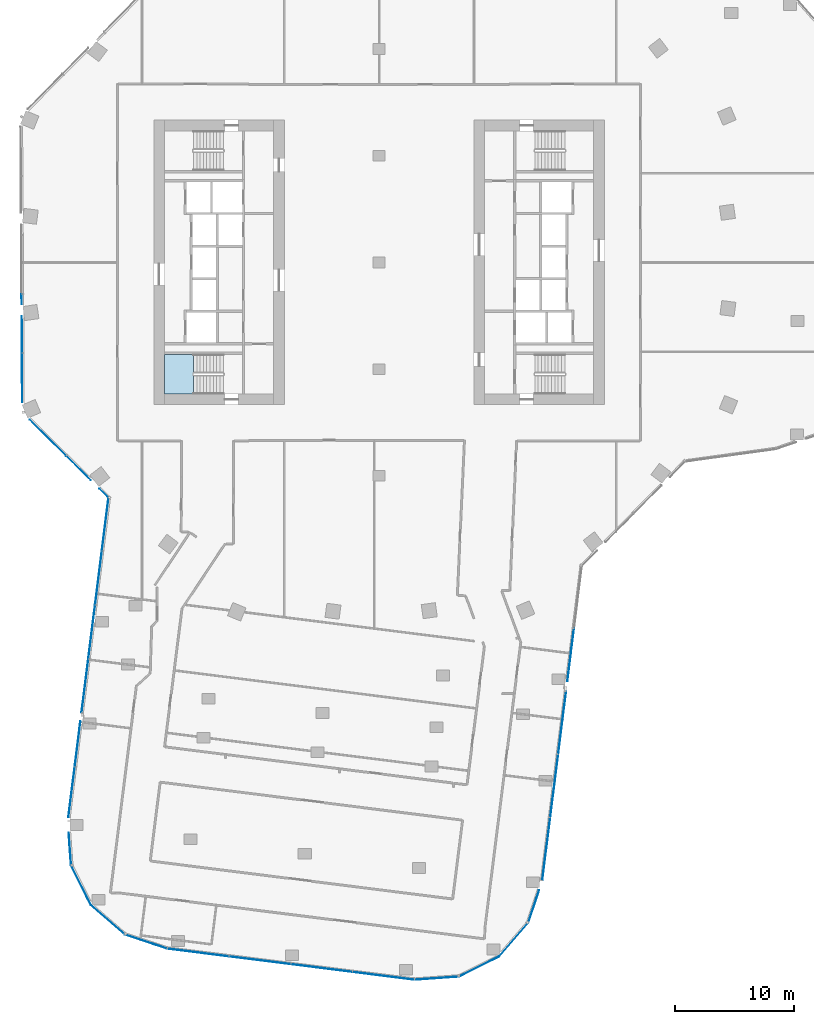
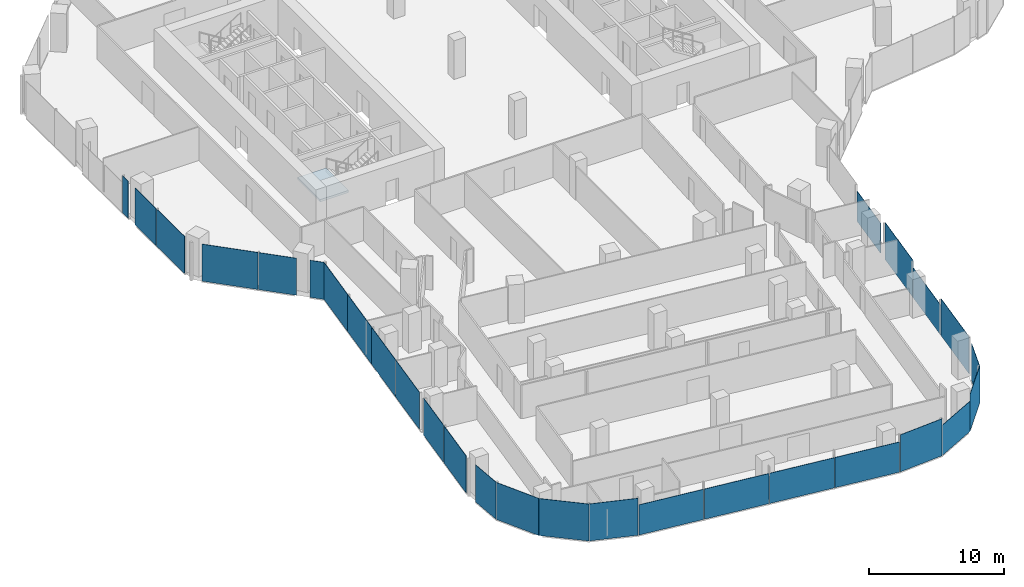
# One storey, part 13 of 27: 28 plates, 1 slab, 14 elements without a shape of their own.
"""IFC4 building model written with IfcOpenShell, lengths in metres."""

from ifc_helpers import new_model, si_unit, direction, frame, origin, origin_2d, place, context, subcontext, project, spatial, polyline, rectangle, outline, extrude, material, layer, layer_set, type_object, element, aggregate, save


model = new_model("IFC4")

# Units and contexts
model_context = context("Model", 3, precision=1e-05, world=origin(), true_north=direction((0.0, 1.0)))
body_context = subcontext(model_context, "Body", "Model", "MODEL_VIEW")
ifc_project = project(units=[si_unit("LENGTHUNIT", "METRE"), si_unit("AREAUNIT", "SQUARE_METRE"), si_unit("VOLUMEUNIT", "CUBIC_METRE"), si_unit("PLANEANGLEUNIT", "RADIAN"), si_unit("MASSUNIT", "GRAM", prefix="KILO")], contexts=[model_context])

# Site, building, storey
site_placement = place(None, origin())
site = spatial("IfcSite", under=ifc_project, at=site_placement, CompositionType="ELEMENT")
building_placement = place(site_placement, origin())
building = spatial("IfcBuilding", under=site, at=building_placement, Name="Orlundy Tower", CompositionType="ELEMENT")
storey_placement = place(building_placement, frame((0.0, 0.0, 202.60009765625)))
storey = spatial("IfcBuildingStorey", under=building, at=storey_placement, Name="L53", CompositionType="ELEMENT", Elevation=202.60009765625)

# Curtain wall, plates
ifc_material_1 = material(Name="Aluminium bronze anodised", Category="aluminium")
curtain_wall_type = type_object("IfcCurtainWallType", Name="CW1 wall", PredefinedType="NOTDEFINED", material=ifc_material_1)
curtain_wall_1_placement = place(storey_placement, origin())
curtain_wall_1 = element("IfcCurtainWall", 1, at=curtain_wall_1_placement, inside=storey, type_object=curtain_wall_type, Name="CW1 run 00", PredefinedType="NOTDEFINED")
ifc_material_2 = material(Name="Tinted glass", Category="glass")
ifc_layer_1 = layer(ifc_material_2, 0.031982421875)
ifc_layer_set_1 = layer_set([ifc_layer_1], Name="CW1 glass panel 32")
plate_type = type_object("IfcPlateType", Name="CW1 glass panel 32", PredefinedType="CURTAIN_PANEL", material=ifc_layer_set_1)
plate_1_placement = place(storey_placement, frame((-25.94189453125, -44.684814453125, -0.300048828125), z_axis=(0.0, 0.0, 1.0), x_axis=(0.124763360518, 0.992186526754, 0.0)))
plate_1 = element("IfcPlate", 2, at=plate_1_placement, type_object=plate_type, Name="CW1 panel", PredefinedType="CURTAIN_PANEL", context=body_context, shape_type="SweptSolid", body=[
    extrude(rectangle(XDim=4.27197265625, YDim=0.031982421875, at=origin_2d()), origin(), (0.0, 0.0, 1.0), 3.35009765625),
])
plate_2_placement = place(storey_placement, frame((-25.4306640625, -40.618896484375, -0.300048828125), z_axis=(0.0, 0.0, 1.0), x_axis=(0.124763360518, 0.992186526754, 0.0)))
plate_2 = element("IfcPlate", 3, at=plate_2_placement, type_object=plate_type, Name="CW1 panel", PredefinedType="CURTAIN_PANEL", context=body_context, shape_type="SweptSolid", body=[
    extrude(rectangle(XDim=3.823974609375, YDim=0.031982421875, at=origin_2d()), origin(), (0.0, 0.0, 1.0), 3.35009765625),
])
plate_3_placement = place(storey_placement, frame((-24.8134765625, -35.71142578125, -0.300048828125), z_axis=(0.0, 0.0, 1.0), x_axis=(0.124763360518, 0.992186526754, 0.0)))
plate_3 = element("IfcPlate", 4, at=plate_3_placement, type_object=plate_type, Name="CW1 panel", PredefinedType="CURTAIN_PANEL", context=body_context, shape_type="SweptSolid", body=[
    extrude(rectangle(XDim=4.53857421875, YDim=0.031982421875, at=origin_2d()), origin(), (0.0, 0.0, 1.0), 3.35009765625),
])
plate_4_placement = place(storey_placement, frame((-24.240966796875, -31.15869140625, -0.300048828125), z_axis=(0.0, 0.0, 1.0), x_axis=(0.124763360518, 0.992186526754, 0.0)))
plate_4 = element("IfcPlate", 5, at=plate_4_placement, type_object=plate_type, Name="CW1 panel", PredefinedType="CURTAIN_PANEL", context=body_context, shape_type="SweptSolid", body=[
    extrude(rectangle(XDim=4.53857421875, YDim=0.031982421875, at=origin_2d()), origin(), (0.0, 0.0, 1.0), 3.35009765625),
])
plate_5_placement = place(storey_placement, frame((-23.66845703125, -26.605712890625, -0.300048828125), z_axis=(0.0, 0.0, 1.0), x_axis=(0.124763360518, 0.992186526754, 0.0)))
plate_5 = element("IfcPlate", 6, at=plate_5_placement, type_object=plate_type, Name="CW1 panel", PredefinedType="CURTAIN_PANEL", context=body_context, shape_type="SweptSolid", body=[
    extrude(rectangle(XDim=4.53857421875, YDim=0.031982421875, at=origin_2d()), origin(), (0.0, 0.0, 1.0), 3.35009765625),
])
plate_6_placement = place(storey_placement, frame((-23.099365234375, -22.08056640625, -0.300048828125), z_axis=(0.0, 0.0, 1.0), x_axis=(0.124763360518, 0.992186526754, 0.0)))
plate_6 = element("IfcPlate", 7, at=plate_6_placement, type_object=plate_type, Name="CW1 panel", PredefinedType="CURTAIN_PANEL", context=body_context, shape_type="SweptSolid", body=[
    extrude(rectangle(XDim=4.48291015625, YDim=0.031982421875, at=origin_2d()), origin(), (0.0, 0.0, 1.0), 3.35009765625),
])
aggregate(curtain_wall_1, [plate_1, plate_2, plate_3, plate_4, plate_5, plate_6])

curtain_wall_2_placement = place(storey_placement, origin())
curtain_wall_2 = element("IfcCurtainWall", 8, at=curtain_wall_2_placement, inside=storey, type_object=curtain_wall_type, Name="CW1 run 01", PredefinedType="NOTDEFINED")
plate_7_placement = place(storey_placement, frame((-23.206298828125, -19.474853515625, -0.300048828125), z_axis=(0.0, 0.0, 1.0), x_axis=(-0.711197941896, 0.702991811789, 0.0)))
plate_7 = element("IfcPlate", 9, at=plate_7_placement, type_object=plate_type, Name="CW1 panel", PredefinedType="CURTAIN_PANEL", context=body_context, shape_type="SweptSolid", body=[
    extrude(rectangle(XDim=1.086669921875, YDim=0.031982421875, at=origin_2d()), origin(), (0.0, 0.0, 1.0), 3.35009765625),
])
plate_8_placement = place(storey_placement, frame((-25.350830078125, -17.35498046875, -0.300048828125), z_axis=(0.0, 0.0, 1.0), x_axis=(-0.711197941896, 0.702991811789, 0.0)))
plate_8 = element("IfcPlate", 10, at=plate_8_placement, type_object=plate_type, Name="CW1 panel", PredefinedType="CURTAIN_PANEL", context=body_context, shape_type="SweptSolid", body=[
    extrude(rectangle(XDim=2.90673828125, YDim=0.031982421875, at=origin_2d()), origin(), (0.0, 0.0, 1.0), 3.35009765625),
])
plate_9_placement = place(storey_placement, frame((-27.947509765625, -14.788330078125, -0.300048828125), z_axis=(0.0, 0.0, 1.0), x_axis=(-0.711197941896, 0.702991811789, 0.0)))
plate_9 = element("IfcPlate", 11, at=plate_9_placement, type_object=plate_type, Name="CW1 panel", PredefinedType="CURTAIN_PANEL", context=body_context, shape_type="SweptSolid", body=[
    extrude(rectangle(XDim=4.29541015625, YDim=0.031982421875, at=origin_2d()), origin(), (0.0, 0.0, 1.0), 3.35009765625),
])
aggregate(curtain_wall_2, [plate_7, plate_8, plate_9])

curtain_wall_3_placement = place(storey_placement, origin())
curtain_wall_3 = element("IfcCurtainWall", 12, at=curtain_wall_3_placement, inside=storey, type_object=curtain_wall_type, Name="CW1 run 02", PredefinedType="NOTDEFINED")
plate_10_placement = place(storey_placement, frame((-30.107666015625, -9.72998046875, -0.300048828125), z_axis=(0.0, 0.0, 1.0), x_axis=(-0.005834206419, 0.999982980873, 0.0)))
plate_10 = element("IfcPlate", 13, at=plate_10_placement, type_object=plate_type, Name="CW1 panel", PredefinedType="CURTAIN_PANEL", context=body_context, shape_type="SweptSolid", body=[
    extrude(rectangle(XDim=4.1474609375, YDim=0.031982421875, at=origin_2d()), origin(), (0.0, 0.0, 1.0), 3.35009765625),
])
plate_11_placement = place(storey_placement, frame((-30.129150390625, -6.078857421875, -0.300048828125), z_axis=(0.0, 0.0, 1.0), x_axis=(-0.005834206419, 0.999982980873, 0.0)))
plate_11 = element("IfcPlate", 14, at=plate_11_placement, type_object=plate_type, Name="CW1 panel", PredefinedType="CURTAIN_PANEL", context=body_context, shape_type="SweptSolid", body=[
    extrude(rectangle(XDim=3.054931640625, YDim=0.031982421875, at=origin_2d()), origin(), (0.0, 0.0, 1.0), 3.35009765625),
])
plate_12_placement = place(storey_placement, frame((-30.146484375, -3.109130859375, -0.300048828125), z_axis=(0.0, 0.0, 1.0), x_axis=(-0.005834206419, 0.999982980873, 0.0)))
plate_12 = element("IfcPlate", 15, at=plate_12_placement, type_object=plate_type, Name="CW1 panel", PredefinedType="CURTAIN_PANEL", context=body_context, shape_type="SweptSolid", body=[
    extrude(rectangle(XDim=0.8466796875, YDim=0.031982421875, at=origin_2d()), origin(), (0.0, 0.0, 1.0), 3.35009765625),
])
aggregate(curtain_wall_3, [plate_10, plate_11, plate_12])

curtain_wall_4_placement = place(storey_placement, origin())
curtain_wall_4 = element("IfcCurtainWall", 16, at=curtain_wall_4_placement, inside=storey, type_object=curtain_wall_type, Name="CW1 run 018", PredefinedType="NOTDEFINED")
plate_13_placement = place(storey_placement, frame((16.15966796875, -33.10693359375, -0.300048828125), z_axis=(0.0, 0.0, 1.0), x_axis=(-0.124742379758, -0.992189164773, 0.0)))
plate_13 = element("IfcPlate", 17, at=plate_13_placement, type_object=plate_type, Name="CW1 panel", PredefinedType="CURTAIN_PANEL", context=body_context, shape_type="SweptSolid", body=[
    extrude(rectangle(XDim=4.468505859375, YDim=0.031982421875, at=origin_2d()), origin(), (0.0, 0.0, 1.0), 2.73388671875),
])
plate_14_placement = place(storey_placement, frame((15.439208984375, -38.83740234375, -0.300048828125), z_axis=(0.0, 0.0, 1.0), x_axis=(-0.124742379758, -0.992189164773, 0.0)))
plate_14 = element("IfcPlate", 18, at=plate_14_placement, type_object=plate_type, Name="CW1 panel", PredefinedType="CURTAIN_PANEL", context=body_context, shape_type="SweptSolid", body=[
    extrude(rectangle(XDim=5.306640625, YDim=0.031982421875, at=origin_2d()), origin(), (0.0, 0.0, 1.0), 3.35009765625),
])
plate_15_placement = place(storey_placement, frame((14.77099609375, -44.15234375, -0.300048828125), z_axis=(0.0, 0.0, 1.0), x_axis=(-0.124742379758, -0.992189164773, 0.0)))
plate_15 = element("IfcPlate", 19, at=plate_15_placement, type_object=plate_type, Name="CW1 panel", PredefinedType="CURTAIN_PANEL", context=body_context, shape_type="SweptSolid", body=[
    extrude(rectangle(XDim=5.306640625, YDim=0.031982421875, at=origin_2d()), origin(), (0.0, 0.0, 1.0), 2.7099609375),
])
plate_16_placement = place(storey_placement, frame((14.101806640625, -49.47509765625, -0.300048828125), z_axis=(0.0, 0.0, 1.0), x_axis=(-0.124742379758, -0.992189164773, 0.0)))
plate_16 = element("IfcPlate", 20, at=plate_16_placement, type_object=plate_type, Name="CW1 panel", PredefinedType="CURTAIN_PANEL", context=body_context, shape_type="SweptSolid", body=[
    extrude(rectangle(XDim=5.32275390625, YDim=0.031982421875, at=origin_2d()), origin(), (0.0, 0.0, 1.0), 3.35009765625),
])
aggregate(curtain_wall_4, [plate_13, plate_14, plate_15, plate_16])

# Curtain wall, plate
curtain_wall_5_placement = place(storey_placement, origin())
curtain_wall_5 = element("IfcCurtainWall", 21, at=curtain_wall_5_placement, inside=storey, type_object=curtain_wall_type, Name="CW1 run 019", PredefinedType="NOTDEFINED")
plate_17_placement = place(storey_placement, frame((13.039794921875, -54.323974609375, -0.300048828125), z_axis=(0.0, 0.0, 1.0), x_axis=(-0.315904020179, -0.948791151958, 0.0)))
plate_17 = element("IfcPlate", 22, at=plate_17_placement, type_object=plate_type, Name="CW1 panel", PredefinedType="CURTAIN_PANEL", context=body_context, shape_type="SweptSolid", body=[
    extrude(rectangle(XDim=2.90869140625, YDim=0.031982421875, at=origin_2d()), origin(), (0.0, 0.0, 1.0), 3.35009765625),
])
aggregate(curtain_wall_5, [plate_17])

curtain_wall_6_placement = place(storey_placement, origin())
curtain_wall_6 = element("IfcCurtainWall", 23, at=curtain_wall_6_placement, inside=storey, type_object=curtain_wall_type, Name="CW1 run 020", PredefinedType="NOTDEFINED")
plate_18_placement = place(storey_placement, frame((11.344970703125, -57.12890625, -0.300048828125), z_axis=(0.0, 0.0, 1.0), x_axis=(-0.655002428568, -0.755626772005, 0.0)))
plate_18 = element("IfcPlate", 24, at=plate_18_placement, type_object=plate_type, Name="CW1 panel", PredefinedType="CURTAIN_PANEL", context=body_context, shape_type="SweptSolid", body=[
    extrude(rectangle(XDim=3.772216796875, YDim=0.031982421875, at=origin_2d()), origin(), (0.0, 0.0, 1.0), 3.35009765625),
])
aggregate(curtain_wall_6, [plate_18])

curtain_wall_7_placement = place(storey_placement, origin())
curtain_wall_7 = element("IfcCurtainWall", 25, at=curtain_wall_7_placement, inside=storey, type_object=curtain_wall_type, Name="CW1 run 021", PredefinedType="NOTDEFINED")
plate_19_placement = place(storey_placement, frame((8.4228515625, -59.398193359375, -0.300048828125), z_axis=(0.0, 0.0, 1.0), x_axis=(-0.894265274448, -0.447537282153, 0.0)))
plate_19 = element("IfcPlate", 26, at=plate_19_placement, type_object=plate_type, Name="CW1 panel", PredefinedType="CURTAIN_PANEL", context=body_context, shape_type="SweptSolid", body=[
    extrude(rectangle(XDim=3.772216796875, YDim=0.031982421875, at=origin_2d()), origin(), (0.0, 0.0, 1.0), 2.73388671875),
])
aggregate(curtain_wall_7, [plate_19])

curtain_wall_8_placement = place(storey_placement, origin())
curtain_wall_8 = element("IfcCurtainWall", 27, at=curtain_wall_8_placement, inside=storey, type_object=curtain_wall_type, Name="CW1 run 022", PredefinedType="NOTDEFINED")
plate_20_placement = place(storey_placement, frame((4.8759765625, -60.375, -0.300048828125), z_axis=(0.0, 0.0, 1.0), x_axis=(-0.997460069203, -0.071227876188, 0.0)))
plate_20 = element("IfcPlate", 28, at=plate_20_placement, type_object=plate_type, Name="CW1 panel", PredefinedType="CURTAIN_PANEL", context=body_context, shape_type="SweptSolid", body=[
    extrude(rectangle(XDim=3.72998046875, YDim=0.031982421875, at=origin_2d()), origin(), (0.0, 0.0, 1.0), 3.35009765625),
])
aggregate(curtain_wall_8, [plate_20])

# Curtain wall, plates
curtain_wall_9_placement = place(storey_placement, origin())
curtain_wall_9 = element("IfcCurtainWall", 29, at=curtain_wall_9_placement, inside=storey, type_object=curtain_wall_type, Name="CW1 run 023", PredefinedType="NOTDEFINED")
plate_21_placement = place(storey_placement, frame((0.3779296875, -60.18115234375, -0.300048828125), z_axis=(0.0, 0.0, 1.0), x_axis=(-0.992186768434, 0.12476143853, 0.0)))
plate_21 = element("IfcPlate", 30, at=plate_21_placement, type_object=plate_type, Name="CW1 panel", PredefinedType="CURTAIN_PANEL", context=body_context, shape_type="SweptSolid", body=[
    extrude(rectangle(XDim=5.216064453125, YDim=0.031982421875, at=origin_2d()), origin(), (0.0, 0.0, 1.0), 2.73388671875),
])
plate_22_placement = place(storey_placement, frame((-4.8388671875, -59.525146484375, -0.300048828125), z_axis=(0.0, 0.0, 1.0), x_axis=(-0.992186768434, 0.12476143853, 0.0)))
plate_22 = element("IfcPlate", 31, at=plate_22_placement, type_object=plate_type, Name="CW1 panel", PredefinedType="CURTAIN_PANEL", context=body_context, shape_type="SweptSolid", body=[
    extrude(rectangle(XDim=5.199951171875, YDim=0.031982421875, at=origin_2d()), origin(), (0.0, 0.0, 1.0), 2.73388671875),
])
plate_23_placement = place(storey_placement, frame((-10.0478515625, -58.8701171875, -0.300048828125), z_axis=(0.0, 0.0, 1.0), x_axis=(-0.992186768434, 0.12476143853, 0.0)))
plate_23 = element("IfcPlate", 32, at=plate_23_placement, type_object=plate_type, Name="CW1 panel", PredefinedType="CURTAIN_PANEL", context=body_context, shape_type="SweptSolid", body=[
    extrude(rectangle(XDim=5.199951171875, YDim=0.031982421875, at=origin_2d()), origin(), (0.0, 0.0, 1.0), 2.73388671875),
])
plate_24_placement = place(storey_placement, frame((-15.264892578125, -58.214111328125, -0.300048828125), z_axis=(0.0, 0.0, 1.0), x_axis=(-0.992186768434, 0.12476143853, 0.0)))
plate_24 = element("IfcPlate", 33, at=plate_24_placement, type_object=plate_type, Name="CW1 panel", PredefinedType="CURTAIN_PANEL", context=body_context, shape_type="SweptSolid", body=[
    extrude(rectangle(XDim=5.216064453125, YDim=0.031982421875, at=origin_2d()), origin(), (0.0, 0.0, 1.0), 2.73388671875),
])
aggregate(curtain_wall_9, [plate_21, plate_22, plate_23, plate_24])

# Curtain wall, plate
curtain_wall_10_placement = place(storey_placement, origin())
curtain_wall_10 = element("IfcCurtainWall", 34, at=curtain_wall_10_placement, inside=storey, type_object=curtain_wall_type, Name="CW1 run 024", PredefinedType="NOTDEFINED")
plate_25_placement = place(storey_placement, frame((-19.671142578125, -57.28857421875, -0.300048828125), z_axis=(0.0, 0.0, 1.0), x_axis=(-0.948791151958, 0.315904020179, 0.0)))
plate_25 = element("IfcPlate", 35, at=plate_25_placement, type_object=plate_type, Name="CW1 panel", PredefinedType="CURTAIN_PANEL", context=body_context, shape_type="SweptSolid", body=[
    extrude(rectangle(XDim=3.73046875, YDim=0.031982421875, at=origin_2d()), origin(), (0.0, 0.0, 1.0), 3.35009765625),
])
aggregate(curtain_wall_10, [plate_25])

curtain_wall_11_placement = place(storey_placement, origin())
curtain_wall_11 = element("IfcCurtainWall", 36, at=curtain_wall_11_placement, inside=storey, type_object=curtain_wall_type, Name="CW1 run 025", PredefinedType="NOTDEFINED")
plate_26_placement = place(storey_placement, frame((-22.865966796875, -55.4638671875, -0.300048828125), z_axis=(0.0, 0.0, 1.0), x_axis=(-0.755626772005, 0.655002428568, 0.0)))
plate_26 = element("IfcPlate", 37, at=plate_26_placement, type_object=plate_type, Name="CW1 panel", PredefinedType="CURTAIN_PANEL", context=body_context, shape_type="SweptSolid", body=[
    extrude(rectangle(XDim=3.77197265625, YDim=0.031982421875, at=origin_2d()), origin(), (0.0, 0.0, 1.0), 3.35009765625),
])
aggregate(curtain_wall_11, [plate_26])

curtain_wall_12_placement = place(storey_placement, origin())
curtain_wall_12 = element("IfcCurtainWall", 38, at=curtain_wall_12_placement, inside=storey, type_object=curtain_wall_type, Name="CW1 run 026", PredefinedType="NOTDEFINED")
plate_27_placement = place(storey_placement, frame((-25.13525390625, -52.54248046875, -0.300048828125), z_axis=(0.0, 0.0, 1.0), x_axis=(-0.447645268798, 0.894211224109, 0.0)))
plate_27 = element("IfcPlate", 39, at=plate_27_placement, type_object=plate_type, Name="CW1 panel", PredefinedType="CURTAIN_PANEL", context=body_context, shape_type="SweptSolid", body=[
    extrude(rectangle(XDim=3.771240234375, YDim=0.031982421875, at=origin_2d()), origin(), (0.0, 0.0, 1.0), 3.35009765625),
])
aggregate(curtain_wall_12, [plate_27])

curtain_wall_13_placement = place(storey_placement, origin())
curtain_wall_13 = element("IfcCurtainWall", 40, at=curtain_wall_13_placement, inside=storey, type_object=curtain_wall_type, Name="CW1 run 027", PredefinedType="NOTDEFINED")
plate_28_placement = place(storey_placement, frame((-26.077392578125, -49.480224609375, -0.300048828125), z_axis=(0.0, 0.0, 1.0), x_axis=(-0.071208712685, 0.997461437469, 0.0)))
plate_28 = element("IfcPlate", 41, at=plate_28_placement, type_object=plate_type, Name="CW1 panel", PredefinedType="CURTAIN_PANEL", context=body_context, shape_type="SweptSolid", body=[
    extrude(rectangle(XDim=2.75927734375, YDim=0.031982421875, at=origin_2d()), origin(), (0.0, 0.0, 1.0), 3.35009765625),
])
aggregate(curtain_wall_13, [plate_28])

# Stair, slab
ifc_material_3 = material(Name="Concrete C50/60", Category="concrete")
stair_type = type_object("IfcStairType", Name="Exit Stair 20 risers", PredefinedType="HALF_TURN_STAIR", material=ifc_material_3)
stair_placement = place(storey_placement, origin())
stair = element("IfcStair", 42, at=stair_placement, inside=storey, type_object=stair_type, Name="L53 Exit Stair ST-W2", PredefinedType="HALF_TURN_STAIR")
ifc_material_4 = material(Name="Concrete C50/60", Category="concrete")
ifc_layer_2 = layer(ifc_material_4, 0.199951171875)
ifc_layer_set_2 = layer_set([ifc_layer_2], Name="Exit Stair Landing")
slab_type = type_object("IfcSlabType", Name="Exit Stair Landing", PredefinedType="LANDING", material=ifc_layer_set_2)
slab_placement = place(storey_placement, frame((0.0, 0.0, 1.5498046875)))
slab = element("IfcSlab", 43, at=slab_placement, type_object=slab_type, Name="ST-W2 landing 1", PredefinedType="LANDING", context=body_context, shape_type="SweptSolid", body=[
    extrude(outline(polyline([(-15.659912109375, -7.75), (-18.10009765625, -7.75), (-18.10009765625, -11.10009765625), (-15.659912109375, -11.10009765625), (-15.659912109375, -7.75)])), origin(), (0.0, 0.0, 1.0), 0.2001953125),
])
aggregate(stair, [slab])

save(model, "model.ifc")
